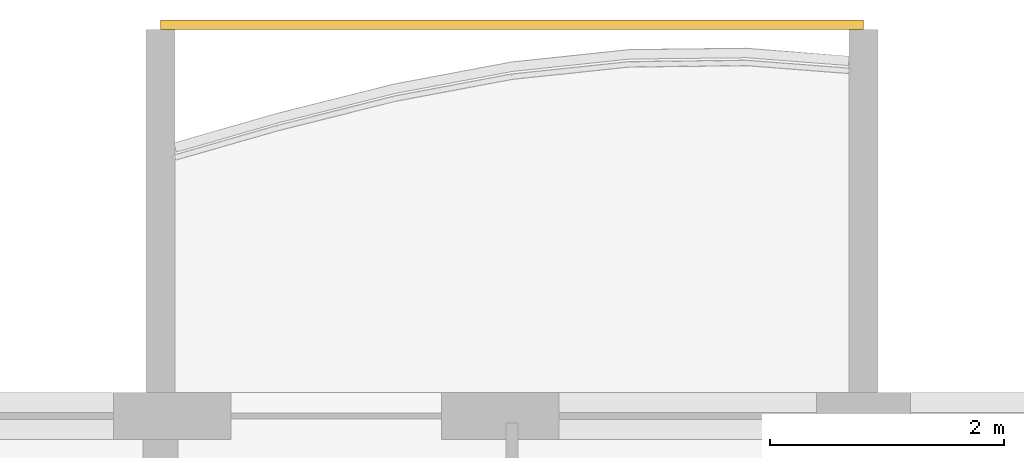
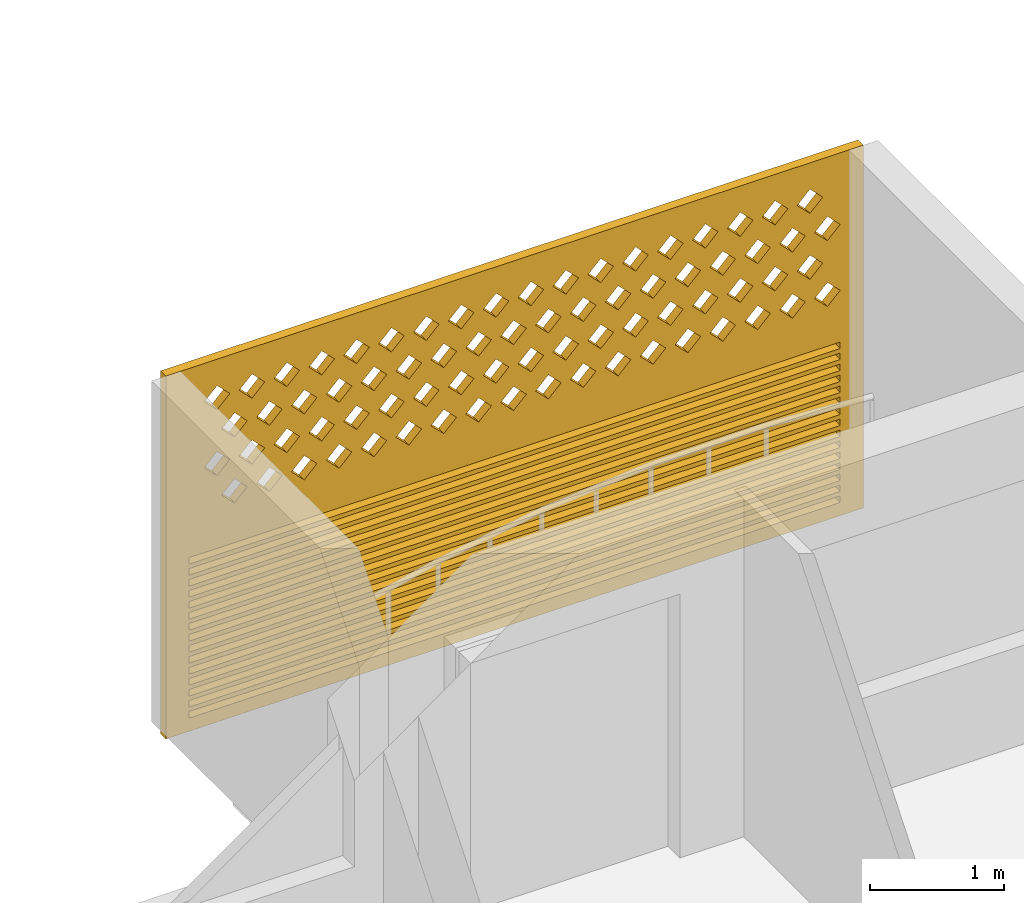
# One storey, part 21 of 31: 1 covering.
"""IFC4 building model written with IfcOpenShell, lengths in metres."""

from ifc_helpers import new_model, si_unit, direction, frame, origin, place, context, subcontext, project, spatial, polyline, outline, extrude, source, transform, mapped, material, material_profile, profile_set, type_object, element, save


model = new_model("IFC4")

# Units and contexts
model_context = context("Model", 3, precision=1e-05, world=origin(), true_north=direction((0.0, 1.0)))
body_context = subcontext(model_context, "Body", "Model", "MODEL_VIEW")
ifc_project = project(units=[si_unit("LENGTHUNIT", "METRE"), si_unit("AREAUNIT", "SQUARE_METRE"), si_unit("VOLUMEUNIT", "CUBIC_METRE"), si_unit("PLANEANGLEUNIT", "RADIAN"), si_unit("MASSUNIT", "GRAM", prefix="KILO")], contexts=[model_context])

# Site, building, storey
site_placement = place(None, origin())
site = spatial("IfcSite", under=ifc_project, at=site_placement, CompositionType="ELEMENT")
building_placement = place(site_placement, origin())
building = spatial("IfcBuilding", under=site, at=building_placement, Name="Poui Terraces", CompositionType="ELEMENT")
storey_placement = place(building_placement, frame((0.0, 0.0, 142.199951171875)))
storey = spatial("IfcBuildingStorey", under=building, at=storey_placement, Name="L39", CompositionType="ELEMENT", Elevation=142.199951171875)

# Covering
ifc_material = material(Name="Terracotta screen", Category="masonry")
ifc_material_profile = material_profile(ifc_material, outline(polyline([(-3.0, -1.64990234375), (3.0, -1.64990234375), (3.0, 1.64990234375), (-3.0, 1.64990234375), (-3.0, -1.64990234375)]), holes=[polyline([(-2.800048828125, 0.39990234375), (-2.68994140625, 0.2900390625), (-2.580078125, 0.39990234375), (-2.68994140625, 0.510009765625), (-2.800048828125, 0.39990234375)]), polyline([(-2.5, 0.39990234375), (-2.389892578125, 0.2900390625), (-2.280029296875, 0.39990234375), (-2.389892578125, 0.510009765625), (-2.5, 0.39990234375)]), polyline([(-2.199951171875, 0.39990234375), (-2.090087890625, 0.2900390625), (-1.97998046875, 0.39990234375), (-2.090087890625, 0.510009765625), (-2.199951171875, 0.39990234375)]), polyline([(-1.89990234375, 0.39990234375), (-1.7900390625, 0.2900390625), (-1.679931640625, 0.39990234375), (-1.7900390625, 0.510009765625), (-1.89990234375, 0.39990234375)]), polyline([(-1.60009765625, 0.39990234375), (-1.489990234375, 0.2900390625), (-1.3798828125, 0.39990234375), (-1.489990234375, 0.510009765625), (-1.60009765625, 0.39990234375)]), polyline([(-1.300048828125, 0.39990234375), (-1.18994140625, 0.2900390625), (-1.080078125, 0.39990234375), (-1.18994140625, 0.510009765625), (-1.300048828125, 0.39990234375)]), polyline([(-1.0, 0.39990234375), (-0.889892578125, 0.2900390625), (-0.780029296875, 0.39990234375), (-0.889892578125, 0.510009765625), (-1.0, 0.39990234375)]), polyline([(-0.699951171875, 0.39990234375), (-0.590087890625, 0.2900390625), (-0.47998046875, 0.39990234375), (-0.590087890625, 0.510009765625), (-0.699951171875, 0.39990234375)]), polyline([(-0.39990234375, 0.39990234375), (-0.2900390625, 0.2900390625), (-0.179931640625, 0.39990234375), (-0.2900390625, 0.510009765625), (-0.39990234375, 0.39990234375)]), polyline([(-0.10009765625, 0.39990234375), (0.010009765625, 0.2900390625), (0.1201171875, 0.39990234375), (0.010009765625, 0.510009765625), (-0.10009765625, 0.39990234375)]), polyline([(0.199951171875, 0.39990234375), (0.31005859375, 0.2900390625), (0.419921875, 0.39990234375), (0.31005859375, 0.510009765625), (0.199951171875, 0.39990234375)]), polyline([(0.5, 0.39990234375), (0.610107421875, 0.2900390625), (0.719970703125, 0.39990234375), (0.610107421875, 0.510009765625), (0.5, 0.39990234375)]), polyline([(0.800048828125, 0.39990234375), (0.909912109375, 0.2900390625), (1.02001953125, 0.39990234375), (0.909912109375, 0.510009765625), (0.800048828125, 0.39990234375)]), polyline([(1.10009765625, 0.39990234375), (1.2099609375, 0.2900390625), (1.320068359375, 0.39990234375), (1.2099609375, 0.510009765625), (1.10009765625, 0.39990234375)]), polyline([(1.39990234375, 0.39990234375), (1.510009765625, 0.2900390625), (1.6201171875, 0.39990234375), (1.510009765625, 0.510009765625), (1.39990234375, 0.39990234375)]), polyline([(1.699951171875, 0.39990234375), (1.81005859375, 0.2900390625), (1.919921875, 0.39990234375), (1.81005859375, 0.510009765625), (1.699951171875, 0.39990234375)]), polyline([(2.0, 0.39990234375), (2.110107421875, 0.2900390625), (2.219970703125, 0.39990234375), (2.110107421875, 0.510009765625), (2.0, 0.39990234375)]), polyline([(2.300048828125, 0.39990234375), (2.409912109375, 0.2900390625), (2.52001953125, 0.39990234375), (2.409912109375, 0.510009765625), (2.300048828125, 0.39990234375)]), polyline([(-2.64990234375, 0.699951171875), (-2.5400390625, 0.590087890625), (-2.429931640625, 0.699951171875), (-2.5400390625, 0.81005859375), (-2.64990234375, 0.699951171875)]), polyline([(-2.35009765625, 0.699951171875), (-2.239990234375, 0.590087890625), (-2.1298828125, 0.699951171875), (-2.239990234375, 0.81005859375), (-2.35009765625, 0.699951171875)]), polyline([(-2.050048828125, 0.699951171875), (-1.93994140625, 0.590087890625), (-1.830078125, 0.699951171875), (-1.93994140625, 0.81005859375), (-2.050048828125, 0.699951171875)]), polyline([(-1.75, 0.699951171875), (-1.639892578125, 0.590087890625), (-1.530029296875, 0.699951171875), (-1.639892578125, 0.81005859375), (-1.75, 0.699951171875)]), polyline([(-1.449951171875, 0.699951171875), (-1.340087890625, 0.590087890625), (-1.22998046875, 0.699951171875), (-1.340087890625, 0.81005859375), (-1.449951171875, 0.699951171875)]), polyline([(-1.14990234375, 0.699951171875), (-1.0400390625, 0.590087890625), (-0.929931640625, 0.699951171875), (-1.0400390625, 0.81005859375), (-1.14990234375, 0.699951171875)]), polyline([(-0.85009765625, 0.699951171875), (-0.739990234375, 0.590087890625), (-0.6298828125, 0.699951171875), (-0.739990234375, 0.81005859375), (-0.85009765625, 0.699951171875)]), polyline([(-0.550048828125, 0.699951171875), (-0.43994140625, 0.590087890625), (-0.330078125, 0.699951171875), (-0.43994140625, 0.81005859375), (-0.550048828125, 0.699951171875)]), polyline([(-0.25, 0.699951171875), (-0.139892578125, 0.590087890625), (-0.030029296875, 0.699951171875), (-0.139892578125, 0.81005859375), (-0.25, 0.699951171875)]), polyline([(0.050048828125, 0.699951171875), (0.159912109375, 0.590087890625), (0.27001953125, 0.699951171875), (0.159912109375, 0.81005859375), (0.050048828125, 0.699951171875)]), polyline([(0.35009765625, 0.699951171875), (0.4599609375, 0.590087890625), (0.570068359375, 0.699951171875), (0.4599609375, 0.81005859375), (0.35009765625, 0.699951171875)]), polyline([(0.64990234375, 0.699951171875), (0.760009765625, 0.590087890625), (0.8701171875, 0.699951171875), (0.760009765625, 0.81005859375), (0.64990234375, 0.699951171875)]), polyline([(0.949951171875, 0.699951171875), (1.06005859375, 0.590087890625), (1.169921875, 0.699951171875), (1.06005859375, 0.81005859375), (0.949951171875, 0.699951171875)]), polyline([(1.25, 0.699951171875), (1.360107421875, 0.590087890625), (1.469970703125, 0.699951171875), (1.360107421875, 0.81005859375), (1.25, 0.699951171875)]), polyline([(1.550048828125, 0.699951171875), (1.659912109375, 0.590087890625), (1.77001953125, 0.699951171875), (1.659912109375, 0.81005859375), (1.550048828125, 0.699951171875)]), polyline([(1.85009765625, 0.699951171875), (1.9599609375, 0.590087890625), (2.070068359375, 0.699951171875), (1.9599609375, 0.81005859375), (1.85009765625, 0.699951171875)]), polyline([(2.14990234375, 0.699951171875), (2.260009765625, 0.590087890625), (2.3701171875, 0.699951171875), (2.260009765625, 0.81005859375), (2.14990234375, 0.699951171875)]), polyline([(2.449951171875, 0.699951171875), (2.56005859375, 0.590087890625), (2.669921875, 0.699951171875), (2.56005859375, 0.81005859375), (2.449951171875, 0.699951171875)]), polyline([(-2.800048828125, 1.0), (-2.68994140625, 0.889892578125), (-2.580078125, 1.0), (-2.68994140625, 1.110107421875), (-2.800048828125, 1.0)]), polyline([(-2.5, 1.0), (-2.389892578125, 0.889892578125), (-2.280029296875, 1.0), (-2.389892578125, 1.110107421875), (-2.5, 1.0)]), polyline([(-2.199951171875, 1.0), (-2.090087890625, 0.889892578125), (-1.97998046875, 1.0), (-2.090087890625, 1.110107421875), (-2.199951171875, 1.0)]), polyline([(-1.89990234375, 1.0), (-1.7900390625, 0.889892578125), (-1.679931640625, 1.0), (-1.7900390625, 1.110107421875), (-1.89990234375, 1.0)]), polyline([(-1.60009765625, 1.0), (-1.489990234375, 0.889892578125), (-1.3798828125, 1.0), (-1.489990234375, 1.110107421875), (-1.60009765625, 1.0)]), polyline([(-1.300048828125, 1.0), (-1.18994140625, 0.889892578125), (-1.080078125, 1.0), (-1.18994140625, 1.110107421875), (-1.300048828125, 1.0)]), polyline([(-1.0, 1.0), (-0.889892578125, 0.889892578125), (-0.780029296875, 1.0), (-0.889892578125, 1.110107421875), (-1.0, 1.0)]), polyline([(-0.699951171875, 1.0), (-0.590087890625, 0.889892578125), (-0.47998046875, 1.0), (-0.590087890625, 1.110107421875), (-0.699951171875, 1.0)]), polyline([(-0.39990234375, 1.0), (-0.2900390625, 0.889892578125), (-0.179931640625, 1.0), (-0.2900390625, 1.110107421875), (-0.39990234375, 1.0)]), polyline([(-0.10009765625, 1.0), (0.010009765625, 0.889892578125), (0.1201171875, 1.0), (0.010009765625, 1.110107421875), (-0.10009765625, 1.0)]), polyline([(0.199951171875, 1.0), (0.31005859375, 0.889892578125), (0.419921875, 1.0), (0.31005859375, 1.110107421875), (0.199951171875, 1.0)]), polyline([(0.5, 1.0), (0.610107421875, 0.889892578125), (0.719970703125, 1.0), (0.610107421875, 1.110107421875), (0.5, 1.0)]), polyline([(0.800048828125, 1.0), (0.909912109375, 0.889892578125), (1.02001953125, 1.0), (0.909912109375, 1.110107421875), (0.800048828125, 1.0)]), polyline([(1.10009765625, 1.0), (1.2099609375, 0.889892578125), (1.320068359375, 1.0), (1.2099609375, 1.110107421875), (1.10009765625, 1.0)]), polyline([(1.39990234375, 1.0), (1.510009765625, 0.889892578125), (1.6201171875, 1.0), (1.510009765625, 1.110107421875), (1.39990234375, 1.0)]), polyline([(1.699951171875, 1.0), (1.81005859375, 0.889892578125), (1.919921875, 1.0), (1.81005859375, 1.110107421875), (1.699951171875, 1.0)]), polyline([(2.0, 1.0), (2.110107421875, 0.889892578125), (2.219970703125, 1.0), (2.110107421875, 1.110107421875), (2.0, 1.0)]), polyline([(2.300048828125, 1.0), (2.409912109375, 0.889892578125), (2.52001953125, 1.0), (2.409912109375, 1.110107421875), (2.300048828125, 1.0)]), polyline([(-2.64990234375, 1.300048828125), (-2.5400390625, 1.18994140625), (-2.429931640625, 1.300048828125), (-2.5400390625, 1.409912109375), (-2.64990234375, 1.300048828125)]), polyline([(-2.35009765625, 1.300048828125), (-2.239990234375, 1.18994140625), (-2.1298828125, 1.300048828125), (-2.239990234375, 1.409912109375), (-2.35009765625, 1.300048828125)]), polyline([(-2.050048828125, 1.300048828125), (-1.93994140625, 1.18994140625), (-1.830078125, 1.300048828125), (-1.93994140625, 1.409912109375), (-2.050048828125, 1.300048828125)]), polyline([(-1.75, 1.300048828125), (-1.639892578125, 1.18994140625), (-1.530029296875, 1.300048828125), (-1.639892578125, 1.409912109375), (-1.75, 1.300048828125)]), polyline([(-1.449951171875, 1.300048828125), (-1.340087890625, 1.18994140625), (-1.22998046875, 1.300048828125), (-1.340087890625, 1.409912109375), (-1.449951171875, 1.300048828125)]), polyline([(-1.14990234375, 1.300048828125), (-1.0400390625, 1.18994140625), (-0.929931640625, 1.300048828125), (-1.0400390625, 1.409912109375), (-1.14990234375, 1.300048828125)]), polyline([(-0.85009765625, 1.300048828125), (-0.739990234375, 1.18994140625), (-0.6298828125, 1.300048828125), (-0.739990234375, 1.409912109375), (-0.85009765625, 1.300048828125)]), polyline([(-0.550048828125, 1.300048828125), (-0.43994140625, 1.18994140625), (-0.330078125, 1.300048828125), (-0.43994140625, 1.409912109375), (-0.550048828125, 1.300048828125)]), polyline([(-0.25, 1.300048828125), (-0.139892578125, 1.18994140625), (-0.030029296875, 1.300048828125), (-0.139892578125, 1.409912109375), (-0.25, 1.300048828125)]), polyline([(0.050048828125, 1.300048828125), (0.159912109375, 1.18994140625), (0.27001953125, 1.300048828125), (0.159912109375, 1.409912109375), (0.050048828125, 1.300048828125)]), polyline([(0.35009765625, 1.300048828125), (0.4599609375, 1.18994140625), (0.570068359375, 1.300048828125), (0.4599609375, 1.409912109375), (0.35009765625, 1.300048828125)]), polyline([(0.64990234375, 1.300048828125), (0.760009765625, 1.18994140625), (0.8701171875, 1.300048828125), (0.760009765625, 1.409912109375), (0.64990234375, 1.300048828125)]), polyline([(0.949951171875, 1.300048828125), (1.06005859375, 1.18994140625), (1.169921875, 1.300048828125), (1.06005859375, 1.409912109375), (0.949951171875, 1.300048828125)]), polyline([(1.25, 1.300048828125), (1.360107421875, 1.18994140625), (1.469970703125, 1.300048828125), (1.360107421875, 1.409912109375), (1.25, 1.300048828125)]), polyline([(1.550048828125, 1.300048828125), (1.659912109375, 1.18994140625), (1.77001953125, 1.300048828125), (1.659912109375, 1.409912109375), (1.550048828125, 1.300048828125)]), polyline([(1.85009765625, 1.300048828125), (1.9599609375, 1.18994140625), (2.070068359375, 1.300048828125), (1.9599609375, 1.409912109375), (1.85009765625, 1.300048828125)]), polyline([(2.14990234375, 1.300048828125), (2.260009765625, 1.18994140625), (2.3701171875, 1.300048828125), (2.260009765625, 1.409912109375), (2.14990234375, 1.300048828125)]), polyline([(2.449951171875, 1.300048828125), (2.56005859375, 1.18994140625), (2.669921875, 1.300048828125), (2.56005859375, 1.409912109375), (2.449951171875, 1.300048828125)]), polyline([(-2.800048828125, -1.530029296875), (2.800048828125, -1.530029296875), (2.800048828125, -1.469970703125), (-2.800048828125, -1.469970703125), (-2.800048828125, -1.530029296875)]), polyline([(-2.800048828125, -1.429931640625), (2.800048828125, -1.429931640625), (2.800048828125, -1.3701171875), (-2.800048828125, -1.3701171875), (-2.800048828125, -1.429931640625)]), polyline([(-2.800048828125, -1.330078125), (2.800048828125, -1.330078125), (2.800048828125, -1.27001953125), (-2.800048828125, -1.27001953125), (-2.800048828125, -1.330078125)]), polyline([(-2.800048828125, -1.22998046875), (2.800048828125, -1.22998046875), (2.800048828125, -1.169921875), (-2.800048828125, -1.169921875), (-2.800048828125, -1.22998046875)]), polyline([(-2.800048828125, -1.1298828125), (2.800048828125, -1.1298828125), (2.800048828125, -1.070068359375), (-2.800048828125, -1.070068359375), (-2.800048828125, -1.1298828125)]), polyline([(-2.800048828125, -1.030029296875), (2.800048828125, -1.030029296875), (2.800048828125, -0.969970703125), (-2.800048828125, -0.969970703125), (-2.800048828125, -1.030029296875)]), polyline([(-2.800048828125, -0.929931640625), (2.800048828125, -0.929931640625), (2.800048828125, -0.8701171875), (-2.800048828125, -0.8701171875), (-2.800048828125, -0.929931640625)]), polyline([(-2.800048828125, -0.830078125), (2.800048828125, -0.830078125), (2.800048828125, -0.77001953125), (-2.800048828125, -0.77001953125), (-2.800048828125, -0.830078125)]), polyline([(-2.800048828125, -0.72998046875), (2.800048828125, -0.72998046875), (2.800048828125, -0.669921875), (-2.800048828125, -0.669921875), (-2.800048828125, -0.72998046875)]), polyline([(-2.800048828125, -0.6298828125), (2.800048828125, -0.6298828125), (2.800048828125, -0.570068359375), (-2.800048828125, -0.570068359375), (-2.800048828125, -0.6298828125)]), polyline([(-2.800048828125, -0.530029296875), (2.800048828125, -0.530029296875), (2.800048828125, -0.469970703125), (-2.800048828125, -0.469970703125), (-2.800048828125, -0.530029296875)]), polyline([(-2.800048828125, -0.429931640625), (2.800048828125, -0.429931640625), (2.800048828125, -0.3701171875), (-2.800048828125, -0.3701171875), (-2.800048828125, -0.429931640625)]), polyline([(-2.800048828125, -0.330078125), (2.800048828125, -0.330078125), (2.800048828125, -0.27001953125), (-2.800048828125, -0.27001953125), (-2.800048828125, -0.330078125)]), polyline([(-2.800048828125, -0.22998046875), (2.800048828125, -0.22998046875), (2.800048828125, -0.169921875), (-2.800048828125, -0.169921875), (-2.800048828125, -0.22998046875)]), polyline([(-2.800048828125, -0.1298828125), (2.800048828125, -0.1298828125), (2.800048828125, -0.070068359375), (-2.800048828125, -0.070068359375), (-2.800048828125, -0.1298828125)])]), Name="TERRACOTTA SCREEN AND JALOUSIE LOUVRE 6000X3300")
ifc_profile_set = profile_set([ifc_material_profile], Name="Terracotta screen")
covering_type = type_object("IfcCoveringType", Name="TERRACOTTA SCREEN AND JALOUSIE LOUVRE 6000X3300", PredefinedType="CLADDING", material=ifc_profile_set)
shared_shape = source(origin(), body_context, "Body", "SweptSolid", [
    extrude(outline(polyline([(-3.0, -1.64990234375), (3.0, -1.64990234375), (3.0, 1.64990234375), (-3.0, 1.64990234375), (-3.0, -1.64990234375)]), holes=[polyline([(-2.800048828125, 0.39990234375), (-2.68994140625, 0.2900390625), (-2.580078125, 0.39990234375), (-2.68994140625, 0.510009765625), (-2.800048828125, 0.39990234375)]), polyline([(-2.5, 0.39990234375), (-2.389892578125, 0.2900390625), (-2.280029296875, 0.39990234375), (-2.389892578125, 0.510009765625), (-2.5, 0.39990234375)]), polyline([(-2.199951171875, 0.39990234375), (-2.090087890625, 0.2900390625), (-1.97998046875, 0.39990234375), (-2.090087890625, 0.510009765625), (-2.199951171875, 0.39990234375)]), polyline([(-1.89990234375, 0.39990234375), (-1.7900390625, 0.2900390625), (-1.679931640625, 0.39990234375), (-1.7900390625, 0.510009765625), (-1.89990234375, 0.39990234375)]), polyline([(-1.60009765625, 0.39990234375), (-1.489990234375, 0.2900390625), (-1.3798828125, 0.39990234375), (-1.489990234375, 0.510009765625), (-1.60009765625, 0.39990234375)]), polyline([(-1.300048828125, 0.39990234375), (-1.18994140625, 0.2900390625), (-1.080078125, 0.39990234375), (-1.18994140625, 0.510009765625), (-1.300048828125, 0.39990234375)]), polyline([(-1.0, 0.39990234375), (-0.889892578125, 0.2900390625), (-0.780029296875, 0.39990234375), (-0.889892578125, 0.510009765625), (-1.0, 0.39990234375)]), polyline([(-0.699951171875, 0.39990234375), (-0.590087890625, 0.2900390625), (-0.47998046875, 0.39990234375), (-0.590087890625, 0.510009765625), (-0.699951171875, 0.39990234375)]), polyline([(-0.39990234375, 0.39990234375), (-0.2900390625, 0.2900390625), (-0.179931640625, 0.39990234375), (-0.2900390625, 0.510009765625), (-0.39990234375, 0.39990234375)]), polyline([(-0.10009765625, 0.39990234375), (0.010009765625, 0.2900390625), (0.1201171875, 0.39990234375), (0.010009765625, 0.510009765625), (-0.10009765625, 0.39990234375)]), polyline([(0.199951171875, 0.39990234375), (0.31005859375, 0.2900390625), (0.419921875, 0.39990234375), (0.31005859375, 0.510009765625), (0.199951171875, 0.39990234375)]), polyline([(0.5, 0.39990234375), (0.610107421875, 0.2900390625), (0.719970703125, 0.39990234375), (0.610107421875, 0.510009765625), (0.5, 0.39990234375)]), polyline([(0.800048828125, 0.39990234375), (0.909912109375, 0.2900390625), (1.02001953125, 0.39990234375), (0.909912109375, 0.510009765625), (0.800048828125, 0.39990234375)]), polyline([(1.10009765625, 0.39990234375), (1.2099609375, 0.2900390625), (1.320068359375, 0.39990234375), (1.2099609375, 0.510009765625), (1.10009765625, 0.39990234375)]), polyline([(1.39990234375, 0.39990234375), (1.510009765625, 0.2900390625), (1.6201171875, 0.39990234375), (1.510009765625, 0.510009765625), (1.39990234375, 0.39990234375)]), polyline([(1.699951171875, 0.39990234375), (1.81005859375, 0.2900390625), (1.919921875, 0.39990234375), (1.81005859375, 0.510009765625), (1.699951171875, 0.39990234375)]), polyline([(2.0, 0.39990234375), (2.110107421875, 0.2900390625), (2.219970703125, 0.39990234375), (2.110107421875, 0.510009765625), (2.0, 0.39990234375)]), polyline([(2.300048828125, 0.39990234375), (2.409912109375, 0.2900390625), (2.52001953125, 0.39990234375), (2.409912109375, 0.510009765625), (2.300048828125, 0.39990234375)]), polyline([(-2.64990234375, 0.699951171875), (-2.5400390625, 0.590087890625), (-2.429931640625, 0.699951171875), (-2.5400390625, 0.81005859375), (-2.64990234375, 0.699951171875)]), polyline([(-2.35009765625, 0.699951171875), (-2.239990234375, 0.590087890625), (-2.1298828125, 0.699951171875), (-2.239990234375, 0.81005859375), (-2.35009765625, 0.699951171875)]), polyline([(-2.050048828125, 0.699951171875), (-1.93994140625, 0.590087890625), (-1.830078125, 0.699951171875), (-1.93994140625, 0.81005859375), (-2.050048828125, 0.699951171875)]), polyline([(-1.75, 0.699951171875), (-1.639892578125, 0.590087890625), (-1.530029296875, 0.699951171875), (-1.639892578125, 0.81005859375), (-1.75, 0.699951171875)]), polyline([(-1.449951171875, 0.699951171875), (-1.340087890625, 0.590087890625), (-1.22998046875, 0.699951171875), (-1.340087890625, 0.81005859375), (-1.449951171875, 0.699951171875)]), polyline([(-1.14990234375, 0.699951171875), (-1.0400390625, 0.590087890625), (-0.929931640625, 0.699951171875), (-1.0400390625, 0.81005859375), (-1.14990234375, 0.699951171875)]), polyline([(-0.85009765625, 0.699951171875), (-0.739990234375, 0.590087890625), (-0.6298828125, 0.699951171875), (-0.739990234375, 0.81005859375), (-0.85009765625, 0.699951171875)]), polyline([(-0.550048828125, 0.699951171875), (-0.43994140625, 0.590087890625), (-0.330078125, 0.699951171875), (-0.43994140625, 0.81005859375), (-0.550048828125, 0.699951171875)]), polyline([(-0.25, 0.699951171875), (-0.139892578125, 0.590087890625), (-0.030029296875, 0.699951171875), (-0.139892578125, 0.81005859375), (-0.25, 0.699951171875)]), polyline([(0.050048828125, 0.699951171875), (0.159912109375, 0.590087890625), (0.27001953125, 0.699951171875), (0.159912109375, 0.81005859375), (0.050048828125, 0.699951171875)]), polyline([(0.35009765625, 0.699951171875), (0.4599609375, 0.590087890625), (0.570068359375, 0.699951171875), (0.4599609375, 0.81005859375), (0.35009765625, 0.699951171875)]), polyline([(0.64990234375, 0.699951171875), (0.760009765625, 0.590087890625), (0.8701171875, 0.699951171875), (0.760009765625, 0.81005859375), (0.64990234375, 0.699951171875)]), polyline([(0.949951171875, 0.699951171875), (1.06005859375, 0.590087890625), (1.169921875, 0.699951171875), (1.06005859375, 0.81005859375), (0.949951171875, 0.699951171875)]), polyline([(1.25, 0.699951171875), (1.360107421875, 0.590087890625), (1.469970703125, 0.699951171875), (1.360107421875, 0.81005859375), (1.25, 0.699951171875)]), polyline([(1.550048828125, 0.699951171875), (1.659912109375, 0.590087890625), (1.77001953125, 0.699951171875), (1.659912109375, 0.81005859375), (1.550048828125, 0.699951171875)]), polyline([(1.85009765625, 0.699951171875), (1.9599609375, 0.590087890625), (2.070068359375, 0.699951171875), (1.9599609375, 0.81005859375), (1.85009765625, 0.699951171875)]), polyline([(2.14990234375, 0.699951171875), (2.260009765625, 0.590087890625), (2.3701171875, 0.699951171875), (2.260009765625, 0.81005859375), (2.14990234375, 0.699951171875)]), polyline([(2.449951171875, 0.699951171875), (2.56005859375, 0.590087890625), (2.669921875, 0.699951171875), (2.56005859375, 0.81005859375), (2.449951171875, 0.699951171875)]), polyline([(-2.800048828125, 1.0), (-2.68994140625, 0.889892578125), (-2.580078125, 1.0), (-2.68994140625, 1.110107421875), (-2.800048828125, 1.0)]), polyline([(-2.5, 1.0), (-2.389892578125, 0.889892578125), (-2.280029296875, 1.0), (-2.389892578125, 1.110107421875), (-2.5, 1.0)]), polyline([(-2.199951171875, 1.0), (-2.090087890625, 0.889892578125), (-1.97998046875, 1.0), (-2.090087890625, 1.110107421875), (-2.199951171875, 1.0)]), polyline([(-1.89990234375, 1.0), (-1.7900390625, 0.889892578125), (-1.679931640625, 1.0), (-1.7900390625, 1.110107421875), (-1.89990234375, 1.0)]), polyline([(-1.60009765625, 1.0), (-1.489990234375, 0.889892578125), (-1.3798828125, 1.0), (-1.489990234375, 1.110107421875), (-1.60009765625, 1.0)]), polyline([(-1.300048828125, 1.0), (-1.18994140625, 0.889892578125), (-1.080078125, 1.0), (-1.18994140625, 1.110107421875), (-1.300048828125, 1.0)]), polyline([(-1.0, 1.0), (-0.889892578125, 0.889892578125), (-0.780029296875, 1.0), (-0.889892578125, 1.110107421875), (-1.0, 1.0)]), polyline([(-0.699951171875, 1.0), (-0.590087890625, 0.889892578125), (-0.47998046875, 1.0), (-0.590087890625, 1.110107421875), (-0.699951171875, 1.0)]), polyline([(-0.39990234375, 1.0), (-0.2900390625, 0.889892578125), (-0.179931640625, 1.0), (-0.2900390625, 1.110107421875), (-0.39990234375, 1.0)]), polyline([(-0.10009765625, 1.0), (0.010009765625, 0.889892578125), (0.1201171875, 1.0), (0.010009765625, 1.110107421875), (-0.10009765625, 1.0)]), polyline([(0.199951171875, 1.0), (0.31005859375, 0.889892578125), (0.419921875, 1.0), (0.31005859375, 1.110107421875), (0.199951171875, 1.0)]), polyline([(0.5, 1.0), (0.610107421875, 0.889892578125), (0.719970703125, 1.0), (0.610107421875, 1.110107421875), (0.5, 1.0)]), polyline([(0.800048828125, 1.0), (0.909912109375, 0.889892578125), (1.02001953125, 1.0), (0.909912109375, 1.110107421875), (0.800048828125, 1.0)]), polyline([(1.10009765625, 1.0), (1.2099609375, 0.889892578125), (1.320068359375, 1.0), (1.2099609375, 1.110107421875), (1.10009765625, 1.0)]), polyline([(1.39990234375, 1.0), (1.510009765625, 0.889892578125), (1.6201171875, 1.0), (1.510009765625, 1.110107421875), (1.39990234375, 1.0)]), polyline([(1.699951171875, 1.0), (1.81005859375, 0.889892578125), (1.919921875, 1.0), (1.81005859375, 1.110107421875), (1.699951171875, 1.0)]), polyline([(2.0, 1.0), (2.110107421875, 0.889892578125), (2.219970703125, 1.0), (2.110107421875, 1.110107421875), (2.0, 1.0)]), polyline([(2.300048828125, 1.0), (2.409912109375, 0.889892578125), (2.52001953125, 1.0), (2.409912109375, 1.110107421875), (2.300048828125, 1.0)]), polyline([(-2.64990234375, 1.300048828125), (-2.5400390625, 1.18994140625), (-2.429931640625, 1.300048828125), (-2.5400390625, 1.409912109375), (-2.64990234375, 1.300048828125)]), polyline([(-2.35009765625, 1.300048828125), (-2.239990234375, 1.18994140625), (-2.1298828125, 1.300048828125), (-2.239990234375, 1.409912109375), (-2.35009765625, 1.300048828125)]), polyline([(-2.050048828125, 1.300048828125), (-1.93994140625, 1.18994140625), (-1.830078125, 1.300048828125), (-1.93994140625, 1.409912109375), (-2.050048828125, 1.300048828125)]), polyline([(-1.75, 1.300048828125), (-1.639892578125, 1.18994140625), (-1.530029296875, 1.300048828125), (-1.639892578125, 1.409912109375), (-1.75, 1.300048828125)]), polyline([(-1.449951171875, 1.300048828125), (-1.340087890625, 1.18994140625), (-1.22998046875, 1.300048828125), (-1.340087890625, 1.409912109375), (-1.449951171875, 1.300048828125)]), polyline([(-1.14990234375, 1.300048828125), (-1.0400390625, 1.18994140625), (-0.929931640625, 1.300048828125), (-1.0400390625, 1.409912109375), (-1.14990234375, 1.300048828125)]), polyline([(-0.85009765625, 1.300048828125), (-0.739990234375, 1.18994140625), (-0.6298828125, 1.300048828125), (-0.739990234375, 1.409912109375), (-0.85009765625, 1.300048828125)]), polyline([(-0.550048828125, 1.300048828125), (-0.43994140625, 1.18994140625), (-0.330078125, 1.300048828125), (-0.43994140625, 1.409912109375), (-0.550048828125, 1.300048828125)]), polyline([(-0.25, 1.300048828125), (-0.139892578125, 1.18994140625), (-0.030029296875, 1.300048828125), (-0.139892578125, 1.409912109375), (-0.25, 1.300048828125)]), polyline([(0.050048828125, 1.300048828125), (0.159912109375, 1.18994140625), (0.27001953125, 1.300048828125), (0.159912109375, 1.409912109375), (0.050048828125, 1.300048828125)]), polyline([(0.35009765625, 1.300048828125), (0.4599609375, 1.18994140625), (0.570068359375, 1.300048828125), (0.4599609375, 1.409912109375), (0.35009765625, 1.300048828125)]), polyline([(0.64990234375, 1.300048828125), (0.760009765625, 1.18994140625), (0.8701171875, 1.300048828125), (0.760009765625, 1.409912109375), (0.64990234375, 1.300048828125)]), polyline([(0.949951171875, 1.300048828125), (1.06005859375, 1.18994140625), (1.169921875, 1.300048828125), (1.06005859375, 1.409912109375), (0.949951171875, 1.300048828125)]), polyline([(1.25, 1.300048828125), (1.360107421875, 1.18994140625), (1.469970703125, 1.300048828125), (1.360107421875, 1.409912109375), (1.25, 1.300048828125)]), polyline([(1.550048828125, 1.300048828125), (1.659912109375, 1.18994140625), (1.77001953125, 1.300048828125), (1.659912109375, 1.409912109375), (1.550048828125, 1.300048828125)]), polyline([(1.85009765625, 1.300048828125), (1.9599609375, 1.18994140625), (2.070068359375, 1.300048828125), (1.9599609375, 1.409912109375), (1.85009765625, 1.300048828125)]), polyline([(2.14990234375, 1.300048828125), (2.260009765625, 1.18994140625), (2.3701171875, 1.300048828125), (2.260009765625, 1.409912109375), (2.14990234375, 1.300048828125)]), polyline([(2.449951171875, 1.300048828125), (2.56005859375, 1.18994140625), (2.669921875, 1.300048828125), (2.56005859375, 1.409912109375), (2.449951171875, 1.300048828125)]), polyline([(-2.800048828125, -1.530029296875), (2.800048828125, -1.530029296875), (2.800048828125, -1.469970703125), (-2.800048828125, -1.469970703125), (-2.800048828125, -1.530029296875)]), polyline([(-2.800048828125, -1.429931640625), (2.800048828125, -1.429931640625), (2.800048828125, -1.3701171875), (-2.800048828125, -1.3701171875), (-2.800048828125, -1.429931640625)]), polyline([(-2.800048828125, -1.330078125), (2.800048828125, -1.330078125), (2.800048828125, -1.27001953125), (-2.800048828125, -1.27001953125), (-2.800048828125, -1.330078125)]), polyline([(-2.800048828125, -1.22998046875), (2.800048828125, -1.22998046875), (2.800048828125, -1.169921875), (-2.800048828125, -1.169921875), (-2.800048828125, -1.22998046875)]), polyline([(-2.800048828125, -1.1298828125), (2.800048828125, -1.1298828125), (2.800048828125, -1.070068359375), (-2.800048828125, -1.070068359375), (-2.800048828125, -1.1298828125)]), polyline([(-2.800048828125, -1.030029296875), (2.800048828125, -1.030029296875), (2.800048828125, -0.969970703125), (-2.800048828125, -0.969970703125), (-2.800048828125, -1.030029296875)]), polyline([(-2.800048828125, -0.929931640625), (2.800048828125, -0.929931640625), (2.800048828125, -0.8701171875), (-2.800048828125, -0.8701171875), (-2.800048828125, -0.929931640625)]), polyline([(-2.800048828125, -0.830078125), (2.800048828125, -0.830078125), (2.800048828125, -0.77001953125), (-2.800048828125, -0.77001953125), (-2.800048828125, -0.830078125)]), polyline([(-2.800048828125, -0.72998046875), (2.800048828125, -0.72998046875), (2.800048828125, -0.669921875), (-2.800048828125, -0.669921875), (-2.800048828125, -0.72998046875)]), polyline([(-2.800048828125, -0.6298828125), (2.800048828125, -0.6298828125), (2.800048828125, -0.570068359375), (-2.800048828125, -0.570068359375), (-2.800048828125, -0.6298828125)]), polyline([(-2.800048828125, -0.530029296875), (2.800048828125, -0.530029296875), (2.800048828125, -0.469970703125), (-2.800048828125, -0.469970703125), (-2.800048828125, -0.530029296875)]), polyline([(-2.800048828125, -0.429931640625), (2.800048828125, -0.429931640625), (2.800048828125, -0.3701171875), (-2.800048828125, -0.3701171875), (-2.800048828125, -0.429931640625)]), polyline([(-2.800048828125, -0.330078125), (2.800048828125, -0.330078125), (2.800048828125, -0.27001953125), (-2.800048828125, -0.27001953125), (-2.800048828125, -0.330078125)]), polyline([(-2.800048828125, -0.22998046875), (2.800048828125, -0.22998046875), (2.800048828125, -0.169921875), (-2.800048828125, -0.169921875), (-2.800048828125, -0.22998046875)]), polyline([(-2.800048828125, -0.1298828125), (2.800048828125, -0.1298828125), (2.800048828125, -0.070068359375), (-2.800048828125, -0.070068359375), (-2.800048828125, -0.1298828125)])]), origin(), (0.0, 0.0, 1.0), 0.080078125),
])
covering_placement = place(storey_placement, frame((39.0, 45.699951171875, 1.449951171875), z_axis=(0.0, 1.0, 0.0), x_axis=(-1.0, 0.0, 0.0)))
element("IfcCovering", 1, at=covering_placement, inside=storey, type_object=covering_type, Name="SOLAR SCREEN AND JALOUSIE LOUVRE", PredefinedType="CLADDING", context=body_context, shape_type="MappedRepresentation", body=[
    mapped(shared_shape, transform((0.0, 0.0, 0.0))),
])

save(model, "model.ifc")
